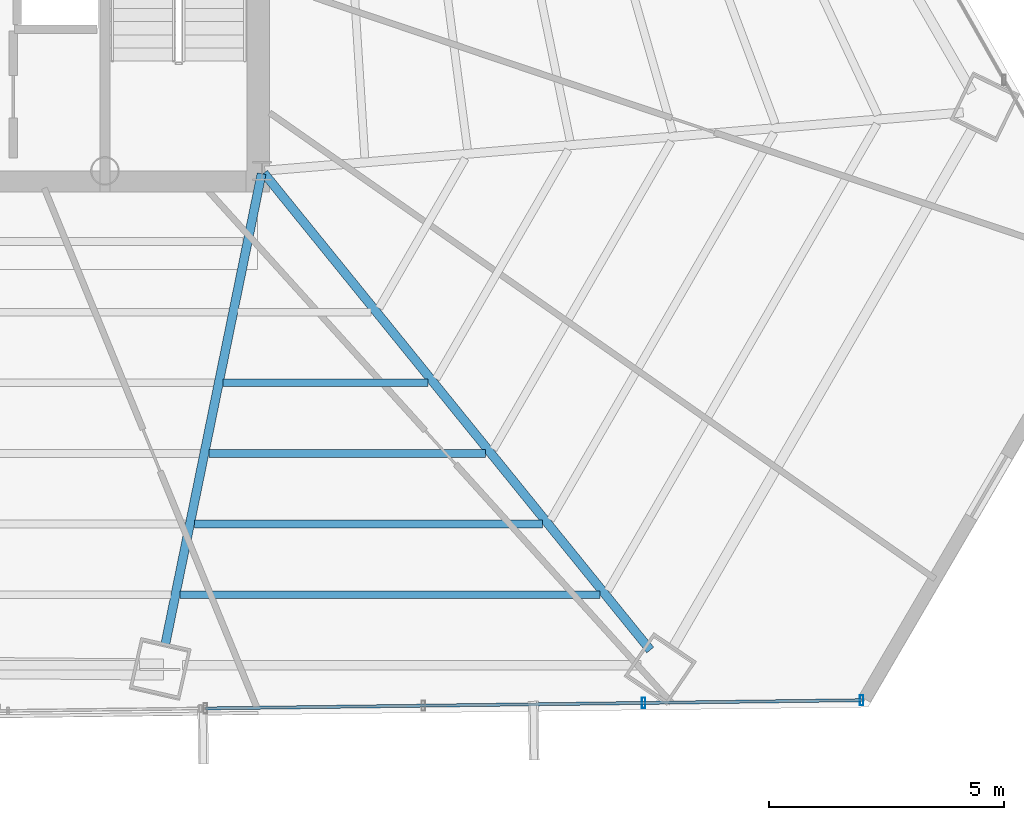
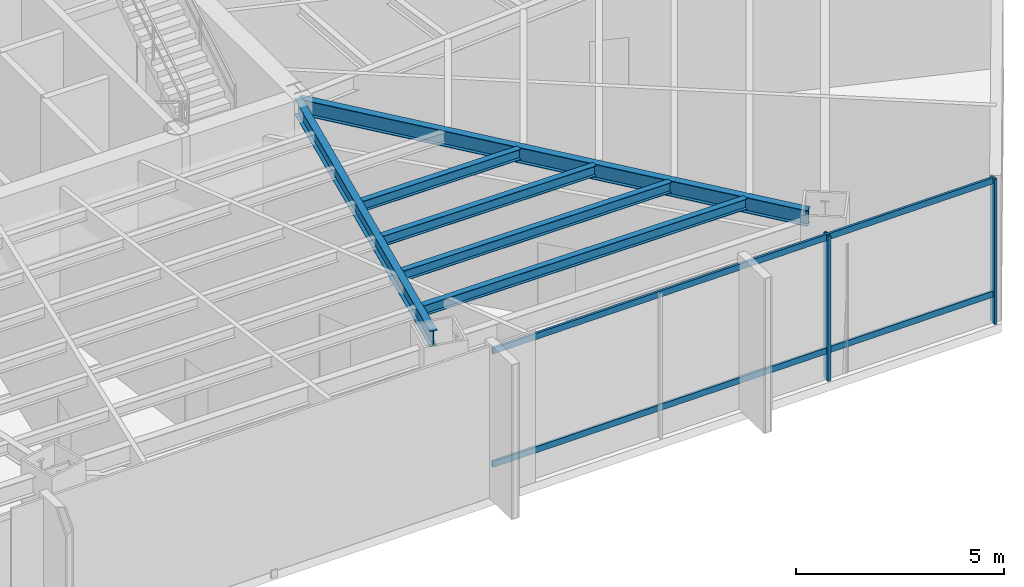
# One storey, part 16 of 37: 6 beams, 4 members, 1 element without a shape of its own.
"""IFC4 building model written with IfcOpenShell, lengths in metres."""

from ifc_helpers import new_model, si_unit, direction, frame, origin, origin_2d, place, context, subcontext, project, spatial, hollow_rectangle, i_section, extrude, source, transform, mapped, material, material_profile, profile_set, type_object, type_shapes, element, aggregate, save


model = new_model("IFC4")

# Units and contexts
model_context = context("Model", 3, precision=1e-05, world=origin(), true_north=direction((0.0, 1.0)))
body_context = subcontext(model_context, "Body", "Model", "MODEL_VIEW")
ifc_project = project(units=[si_unit("LENGTHUNIT", "METRE"), si_unit("AREAUNIT", "SQUARE_METRE"), si_unit("VOLUMEUNIT", "CUBIC_METRE"), si_unit("PLANEANGLEUNIT", "RADIAN"), si_unit("MASSUNIT", "GRAM", prefix="KILO")], contexts=[model_context])

# Site, building, storey
site_placement = place(None, origin())
site = spatial("IfcSite", under=ifc_project, at=site_placement, CompositionType="ELEMENT")
building_placement = place(site_placement, origin())
building = spatial("IfcBuilding", under=site, at=building_placement, Name="Caelisora Broadcast Tower", CompositionType="ELEMENT")
storey_placement = place(building_placement, frame((0.0, 0.0, 127.300048828125)))
storey = spatial("IfcBuildingStorey", under=building, at=storey_placement, Name="L33", CompositionType="ELEMENT", Elevation=127.300048828125)

# Beams
ifc_material_1 = material(Name="Steel Grade 350 (AS/NZS 3679.1)", Category="steel")
ifc_material_profile_1 = material_profile(ifc_material_1, i_section(OverallWidth=0.19091796875, OverallDepth=0.46044921875, WebThickness=0.010009765625, FlangeThickness=0.01611328125, at=origin_2d()), Name="Steel Grade 350 (AS/NZS 3679.1)")
ifc_profile_set_1 = profile_set([ifc_material_profile_1], Name="Steel Grade 350 (AS/NZS 3679.1)")
beam_type_1 = type_object("IfcBeamType", Name="PG06", PredefinedType="BEAM", material=ifc_profile_set_1)
shared_shape_1 = source(origin(), body_context, "Body", "SweptSolid", [
    extrude(i_section(OverallWidth=0.19091796875, OverallDepth=0.46044921875, WebThickness=0.010009765625, FlangeThickness=0.01611328125, at=origin_2d()), origin(), (0.0, 0.0, 1.0), 13.079833984375),
])
beam_1_placement = place(storey_placement, frame((45.537841796875, 17.353515625, 4.019775390625), z_axis=(0.629472571113, -0.777022703797, 0.0), x_axis=(0.777022703797, 0.629472571113, 0.0)))
element("IfcBeam", 1, at=beam_1_placement, inside=storey, type_object=beam_type_1, Name="L33 beam PG06", PredefinedType="BEAM", context=body_context, shape_type="MappedRepresentation", body=[
    mapped(shared_shape_1, transform((0.0, 0.0, 0.0), scale=1.0)),
])
shared_shape_2 = source(origin(), body_context, "Body", "SweptSolid", [
    extrude(i_section(OverallWidth=0.19091796875, OverallDepth=0.46044921875, WebThickness=0.010009765625, FlangeThickness=0.01611328125, at=origin_2d()), origin(), (0.0, 0.0, 1.0), 10.274169921875),
])
type_shapes(beam_type_1, [shared_shape_1, shared_shape_2])
beam_2_placement = place(storey_placement, frame((45.488037109375, 17.34130859375, 4.019775390625), z_axis=(-0.20036409738, -0.979721505572, 0.0), x_axis=(0.979721505572, -0.20036409738, 0.0)))
element("IfcBeam", 2, at=beam_2_placement, inside=storey, type_object=beam_type_1, Name="L33 beam PG06", PredefinedType="BEAM", context=body_context, shape_type="MappedRepresentation", body=[
    mapped(shared_shape_2, transform((0.0, 0.0, 0.0), scale=1.0)),
])
ifc_material_profile_2 = material_profile(ifc_material_1, i_section(OverallWidth=0.166015625, OverallDepth=0.30712890625, WebThickness=0.006591796875, FlangeThickness=0.01171875, at=origin_2d()), Name="Steel Grade 350 (AS/NZS 3679.1)")
ifc_profile_set_2 = profile_set([ifc_material_profile_2], Name="Steel Grade 350 (AS/NZS 3679.1)")
beam_type_2 = type_object("IfcBeamType", Name="SB03", PredefinedType="JOIST", material=ifc_profile_set_2)
shared_shape_3 = source(origin(), body_context, "Body", "SweptSolid", [
    extrude(i_section(OverallWidth=0.166015625, OverallDepth=0.30712890625, WebThickness=0.006591796875, FlangeThickness=0.01171875, at=origin_2d()), origin(), (0.0, 0.0, 1.0), 4.367431640625),
])
beam_3_placement = place(storey_placement, frame((44.6708984375, 12.884521484375, 4.096435546875), z_axis=(1.0, 0.0, 0.0), x_axis=(0.0, 1.0, 0.0)))
element("IfcBeam", 3, at=beam_3_placement, inside=storey, type_object=beam_type_2, Name="L33 beam SB03", PredefinedType="JOIST", context=body_context, shape_type="MappedRepresentation", body=[
    mapped(shared_shape_3, transform((0.0, 0.0, 0.0), scale=1.0)),
])
shared_shape_4 = source(origin(), body_context, "Body", "SweptSolid", [
    extrude(i_section(OverallWidth=0.166015625, OverallDepth=0.30712890625, WebThickness=0.006591796875, FlangeThickness=0.01171875, at=origin_2d()), origin(), (0.0, 0.0, 1.0), 5.894287109375),
])
beam_4_placement = place(storey_placement, frame((44.36328125, 11.37939453125, 4.096435546875), z_axis=(1.0, 0.0, 0.0), x_axis=(0.0, 1.0, 0.0)))
element("IfcBeam", 4, at=beam_4_placement, inside=storey, type_object=beam_type_2, Name="L33 beam SB03", PredefinedType="JOIST", context=body_context, shape_type="MappedRepresentation", body=[
    mapped(shared_shape_4, transform((0.0, 0.0, 0.0), scale=1.0)),
])
shared_shape_5 = source(origin(), body_context, "Body", "SweptSolid", [
    extrude(i_section(OverallWidth=0.166015625, OverallDepth=0.30712890625, WebThickness=0.006591796875, FlangeThickness=0.01171875, at=origin_2d()), origin(), (0.0, 0.0, 1.0), 7.421630859375),
])
beam_5_placement = place(storey_placement, frame((44.055419921875, 9.874267578125, 4.096435546875), z_axis=(1.0, 0.0, 0.0), x_axis=(0.0, 1.0, 0.0)))
element("IfcBeam", 5, at=beam_5_placement, inside=storey, type_object=beam_type_2, Name="L33 beam SB03", PredefinedType="JOIST", context=body_context, shape_type="MappedRepresentation", body=[
    mapped(shared_shape_5, transform((0.0, 0.0, 0.0), scale=1.0)),
])
shared_shape_6 = source(origin(), body_context, "Body", "SweptSolid", [
    extrude(i_section(OverallWidth=0.166015625, OverallDepth=0.30712890625, WebThickness=0.006591796875, FlangeThickness=0.01171875, at=origin_2d()), origin(), (0.0, 0.0, 1.0), 8.94873046875),
])
type_shapes(beam_type_2, [shared_shape_3, shared_shape_4, shared_shape_5, shared_shape_6])
beam_6_placement = place(storey_placement, frame((43.74755859375, 8.369140625, 4.096435546875), z_axis=(1.0, 0.0, 0.0), x_axis=(0.0, 1.0, 0.0)))
element("IfcBeam", 6, at=beam_6_placement, inside=storey, type_object=beam_type_2, Name="L33 beam SB03", PredefinedType="JOIST", context=body_context, shape_type="MappedRepresentation", body=[
    mapped(shared_shape_6, transform((0.0, 0.0, 0.0), scale=1.0)),
])

# Curtain wall, members
ifc_material_2 = material(Name="Unitised Aluminium and Low-E Glass Curtain Wall", Category="glass")
curtain_wall_type = type_object("IfcCurtainWallType", Name="CW-SKY", PredefinedType="NOTDEFINED", material=ifc_material_2)
curtain_wall_placement = place(storey_placement, origin())
curtain_wall = element("IfcCurtainWall", 7, at=curtain_wall_placement, inside=storey, type_object=curtain_wall_type, Name="L33 curtain wall CW-SKY", PredefinedType="NOTDEFINED")
ifc_material_3 = material(Name="Aluminium 6063-T6 Anodised Terracotta Bronze", Category="aluminium")
ifc_material_profile_3 = material_profile(ifc_material_3, hollow_rectangle(XDim=0.074951171875, YDim=0.219970703125, WallThickness=0.00390625, at=origin_2d()), Name="Aluminium 6063-T6 Anodised Terracotta Bronze")
ifc_profile_set_3 = profile_set([ifc_material_profile_3], Name="Aluminium 6063-T6 Anodised Terracotta Bronze")
member_type_1 = type_object("IfcMemberType", Name="CWM-01", PredefinedType="MULLION", material=ifc_profile_set_3)
shared_shape_7 = source(origin(), body_context, "Body", "SweptSolid", [
    extrude(hollow_rectangle(XDim=0.074951171875, YDim=0.219970703125, WallThickness=0.00390625, at=origin_2d()), origin(), (0.0, 0.0, 1.0), 4.25),
])
type_shapes(member_type_1, [shared_shape_7])
member_1_placement = place(storey_placement, frame((58.27587890625, 6.121337890625, 0.0), z_axis=(0.0, 0.0, 1.0), x_axis=(1.0, 0.0, 0.0)))
member_1 = element("IfcMember", 8, at=member_1_placement, type_object=member_type_1, Name="L33-CW-B05 mullion #0", PredefinedType="MULLION", context=body_context, shape_type="MappedRepresentation", body=[
    mapped(shared_shape_7, transform((0.0, 0.0, 0.0), scale=1.0)),
])
member_2_placement = place(storey_placement, frame((53.630859375, 6.06298828125, 0.0), z_axis=(0.0, 0.0, 1.0), x_axis=(1.0, 0.0, 0.0)))
member_2 = element("IfcMember", 9, at=member_2_placement, type_object=member_type_1, Name="L33-CW-B05 mullion #1", PredefinedType="MULLION", context=body_context, shape_type="MappedRepresentation", body=[
    mapped(shared_shape_7, transform((0.0, 0.0, 0.0), scale=1.0)),
])
ifc_material_profile_4 = material_profile(ifc_material_3, hollow_rectangle(XDim=0.06494140625, YDim=0.179931640625, WallThickness=0.00341796875, at=origin_2d()), Name="Aluminium 6063-T6 Anodised Terracotta Bronze")
ifc_profile_set_4 = profile_set([ifc_material_profile_4], Name="Aluminium 6063-T6 Anodised Terracotta Bronze")
member_type_2 = type_object("IfcMemberType", Name="CWT-01", PredefinedType="USERDEFINED", material=ifc_profile_set_4)
shared_shape_8 = source(origin(), body_context, "Body", "SweptSolid", [
    extrude(hollow_rectangle(XDim=0.06494140625, YDim=0.179931640625, WallThickness=0.00341796875, at=origin_2d()), origin(), (0.0, 0.0, 1.0), 13.986328125),
])
type_shapes(member_type_2, [shared_shape_8])
member_3_placement = place(storey_placement, frame((58.27587890625, 6.121337890625, 0.849853515625), z_axis=(-0.999921458163, -0.012533056472, 0.0), x_axis=(0.012533056472, -0.999921458163, 0.0)))
member_3 = element("IfcMember", 10, at=member_3_placement, type_object=member_type_2, Name="L33-CW-B05 transom #1", ObjectType="TRANSOM", PredefinedType="USERDEFINED", context=body_context, shape_type="MappedRepresentation", body=[
    mapped(shared_shape_8, transform((0.0, 0.0, 0.0), scale=1.0)),
])
member_4_placement = place(storey_placement, frame((58.27587890625, 6.121337890625, 4.169921875), z_axis=(-0.999921458163, -0.012533056472, 0.0), x_axis=(0.012533056472, -0.999921458163, 0.0)))
member_4 = element("IfcMember", 11, at=member_4_placement, type_object=member_type_2, Name="L33-CW-B05 transom #2", ObjectType="TRANSOM", PredefinedType="USERDEFINED", context=body_context, shape_type="MappedRepresentation", body=[
    mapped(shared_shape_8, transform((0.0, 0.0, 0.0), scale=1.0)),
])
aggregate(curtain_wall, [member_1, member_2, member_3, member_4])

save(model, "model.ifc")
